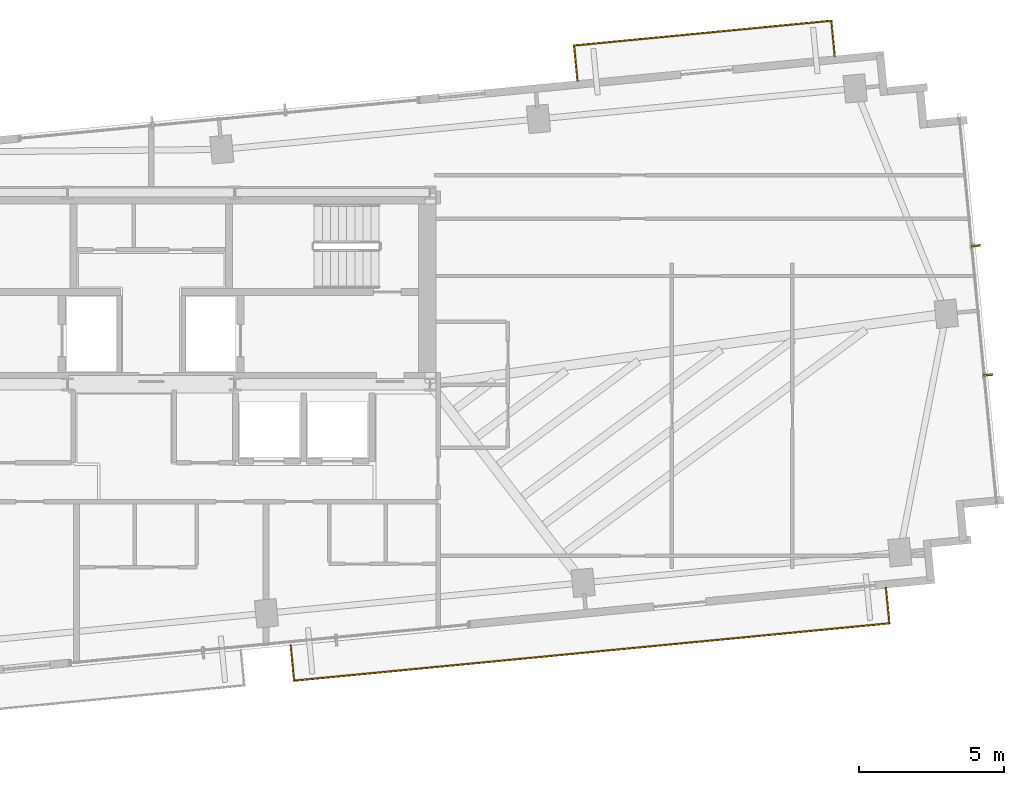
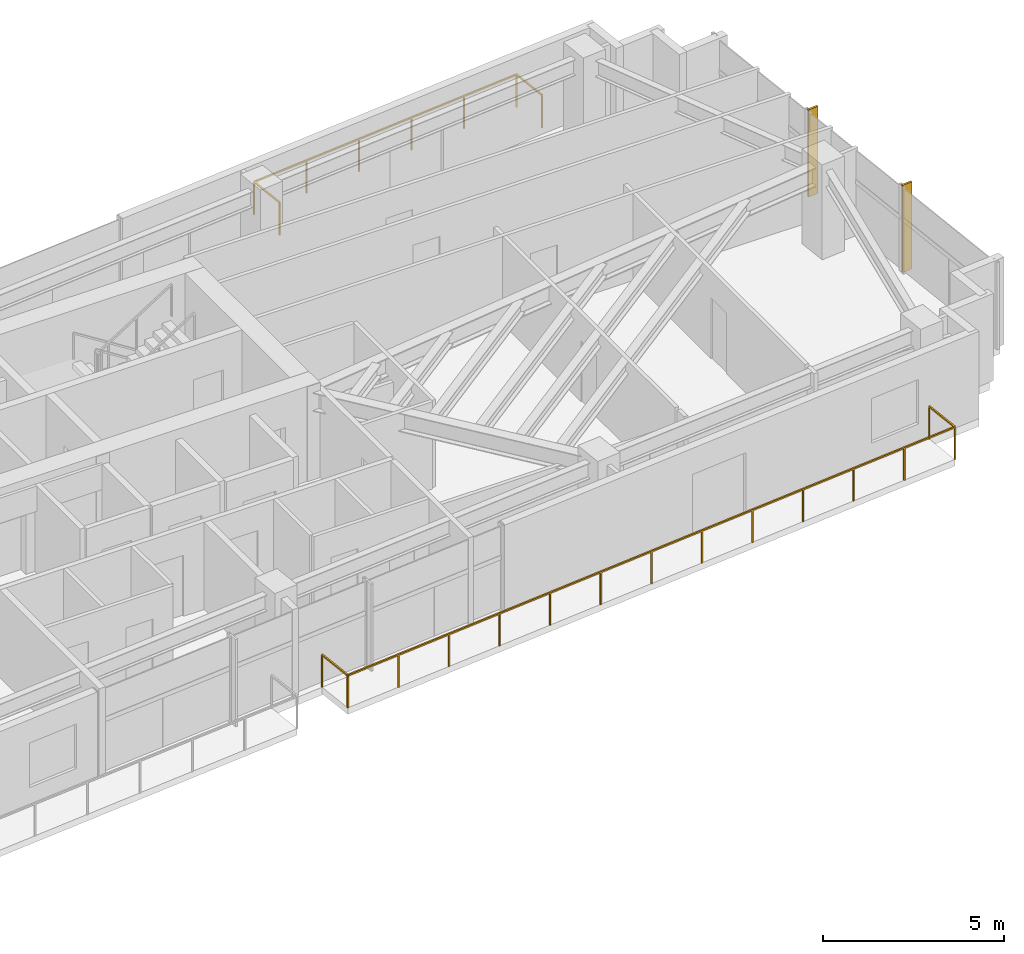
# One storey, part 18 of 18: 2 railings, 2 shading devices.
"""IFC4 building model written with IfcOpenShell, lengths in metres."""

from ifc_helpers import new_model, si_unit, direction, frame, origin, origin_2d, place, context, subcontext, project, spatial, rectangle, extrude, source, transform, mapped, material, type_object, type_shapes, element, save


model = new_model("IFC4")

# Units and contexts
model_context = context("Model", 3, precision=1e-05, world=origin(), true_north=direction((0.0, 1.0)))
body_context = subcontext(model_context, "Body", "Model", "MODEL_VIEW")
ifc_project = project(units=[si_unit("LENGTHUNIT", "METRE"), si_unit("AREAUNIT", "SQUARE_METRE"), si_unit("VOLUMEUNIT", "CUBIC_METRE"), si_unit("PLANEANGLEUNIT", "RADIAN"), si_unit("MASSUNIT", "GRAM", prefix="KILO")], contexts=[model_context])

# Site, building, storey
site_placement = place(None, origin())
site = spatial("IfcSite", under=ifc_project, at=site_placement, CompositionType="ELEMENT")
building_placement = place(site_placement, origin())
building = spatial("IfcBuilding", under=site, at=building_placement, Name="Astriad Promenade Condominiums", CompositionType="ELEMENT")
storey_placement = place(building_placement, frame((0.0, 0.0, 195.39990234375)))
storey = spatial("IfcBuildingStorey", under=building, at=storey_placement, Name="L56", CompositionType="ELEMENT", Elevation=195.39990234375)

# Shading devices
ifc_material_1 = material(Name="Anodised aluminium 6063-T6 Black Fin", Category="aluminium")
shading_device_type = type_object("IfcShadingDeviceType", Name="FIN-BLACK-260", PredefinedType="USERDEFINED", material=ifc_material_1)
shared_shape_1 = source(origin(), body_context, "Body", "SweptSolid", [
    extrude(rectangle(XDim=0.06494140625, YDim=0.320068359375, at=origin_2d()), origin(), (0.0, 0.0, 1.0), 2.93994140625),
])
type_shapes(shading_device_type, [shared_shape_1])
for number, where, z_axis, x_axis, name in (
    (1, (64.37841796875, 22.16796875, 0.000244140625), (0.0, 0.0, 1.0), (0.09584575252, -0.995396198367, 0.0), "CW-L56-E-FIN-01"),
    (2, (64.806640625, 17.721923828125, 0.000244140625), (0.0, 0.0, 1.0), (0.09584575252, -0.995396198367, 0.0), "CW-L56-E-FIN-02"),
):
    element("IfcShadingDevice", number, at=place(storey_placement, frame(where, z_axis=z_axis, x_axis=x_axis)), inside=storey, type_object=shading_device_type, Name=name, ObjectType="FIN", PredefinedType="USERDEFINED", context=body_context, shape_type="MappedRepresentation", body=[
        mapped(shared_shape_1, transform((0.0, 0.0, 0.0), scale=1.0)),
    ])

# Railings
ifc_material_2 = material(Name="Laminated Glass and Stainless Steel Balustrade", Category="steel")
railing_type = type_object("IfcRailingType", Name="GRD-BALC-1120", PredefinedType="BALUSTRADE", material=ifc_material_2)
shared_shape_2 = source(origin(), body_context, "Body", "SweptSolid", [
    extrude(rectangle(XDim=0.048095703125, YDim=0.048095703125, at=origin_2d()), frame((0.0, 0.0, 1.09619140625), z_axis=(0.095857307208, -0.99539508571, 0.0), x_axis=(0.99539508571, 0.095857307208, 0.0)), (0.0, 0.0, 1.0), 1.219970703125),
    extrude(rectangle(XDim=0.048095703125, YDim=0.048095703125, at=origin_2d()), frame((0.116943359375, -1.21435546875, 1.09619140625), z_axis=(0.995396767085, 0.09583984598, 0.0), x_axis=(-0.09583984598, 0.995396767085, 0.0)), (0.0, 0.0, 1.0), 20.587890625),
    extrude(rectangle(XDim=0.048095703125, YDim=0.048095703125, at=origin_2d()), frame((20.610107421875, 0.7587890625, 1.09619140625), z_axis=(-0.095857307208, 0.99539508571, 0.0), x_axis=(-0.99539508571, -0.095857307208, 0.0)), (0.0, 0.0, 1.0), 1.219970703125),
    extrude(rectangle(XDim=0.0419921875, YDim=0.0419921875, at=origin_2d()), origin(), (0.0, 0.0, 1.0), 1.072021484375),
    extrude(rectangle(XDim=0.0419921875, YDim=0.0419921875, at=origin_2d()), frame((0.116943359375, -1.21435546875, 0.0)), (0.0, 0.0, 1.0), 1.072021484375),
    extrude(rectangle(XDim=0.0419921875, YDim=0.0419921875, at=origin_2d()), frame((1.82470703125, -1.0498046875, 0.0)), (0.0, 0.0, 1.0), 1.072021484375),
    extrude(rectangle(XDim=0.0419921875, YDim=0.0419921875, at=origin_2d()), frame((3.532470703125, -0.885498046875, 0.0)), (0.0, 0.0, 1.0), 1.072021484375),
    extrude(rectangle(XDim=0.0419921875, YDim=0.0419921875, at=origin_2d()), frame((5.240234375, -0.72119140625, 0.0)), (0.0, 0.0, 1.0), 1.072021484375),
    extrude(rectangle(XDim=0.0419921875, YDim=0.0419921875, at=origin_2d()), frame((6.947998046875, -0.556640625, 0.0)), (0.0, 0.0, 1.0), 1.072021484375),
    extrude(rectangle(XDim=0.0419921875, YDim=0.0419921875, at=origin_2d()), frame((8.65576171875, -0.39208984375, 0.0)), (0.0, 0.0, 1.0), 1.072021484375),
    extrude(rectangle(XDim=0.0419921875, YDim=0.0419921875, at=origin_2d()), frame((10.363525390625, -0.227783203125, 0.0)), (0.0, 0.0, 1.0), 1.072021484375),
    extrude(rectangle(XDim=0.0419921875, YDim=0.0419921875, at=origin_2d()), frame((12.0712890625, -0.0634765625, 0.0)), (0.0, 0.0, 1.0), 1.072021484375),
    extrude(rectangle(XDim=0.0419921875, YDim=0.0419921875, at=origin_2d()), frame((13.779052734375, 0.10107421875, 0.0)), (0.0, 0.0, 1.0), 1.072021484375),
    extrude(rectangle(XDim=0.0419921875, YDim=0.0419921875, at=origin_2d()), frame((15.48681640625, 0.265625, 0.0)), (0.0, 0.0, 1.0), 1.072021484375),
    extrude(rectangle(XDim=0.0419921875, YDim=0.0419921875, at=origin_2d()), frame((17.194580078125, 0.429931640625, 0.0)), (0.0, 0.0, 1.0), 1.072021484375),
    extrude(rectangle(XDim=0.0419921875, YDim=0.0419921875, at=origin_2d()), frame((18.90234375, 0.59423828125, 0.0)), (0.0, 0.0, 1.0), 1.072021484375),
    extrude(rectangle(XDim=0.0419921875, YDim=0.0419921875, at=origin_2d()), frame((20.610107421875, 0.7587890625, 0.0)), (0.0, 0.0, 1.0), 1.072021484375),
    extrude(rectangle(XDim=0.0419921875, YDim=0.0419921875, at=origin_2d()), frame((20.4931640625, 1.97314453125, 0.0)), (0.0, 0.0, 1.0), 1.072021484375),
])
railing_1_placement = place(storey_placement, frame((40.800537109375, 8.41162109375, 0.0)))
element("IfcRailing", 3, at=railing_1_placement, inside=storey, type_object=railing_type, Name="GRD-BALC-L56-SE", PredefinedType="BALUSTRADE", context=body_context, shape_type="MappedRepresentation", body=[
    mapped(shared_shape_2, transform((0.0, 0.0, 0.0), scale=1.0)),
])
shared_shape_3 = source(origin(), body_context, "Body", "SweptSolid", [
    extrude(rectangle(XDim=0.048095703125, YDim=0.048095703125, at=origin_2d()), frame((0.0, 0.0, 1.09619140625), z_axis=(-0.095857307208, 0.99539508571, 0.0), x_axis=(-0.99539508571, -0.095857307208, 0.0)), (0.0, 0.0, 1.0), 1.219970703125),
    extrude(rectangle(XDim=0.048095703125, YDim=0.048095703125, at=origin_2d()), frame((-0.116943359375, 1.21435546875, 1.09619140625), z_axis=(-0.995396052861, -0.095847263647, 0.0), x_axis=(0.095847263647, -0.995396052861, 0.0)), (0.0, 0.0, 1.0), 8.89990234375),
    extrude(rectangle(XDim=0.048095703125, YDim=0.048095703125, at=origin_2d()), frame((-8.975830078125, 0.361328125, 1.09619140625), z_axis=(0.095857307208, -0.99539508571, 0.0), x_axis=(0.99539508571, 0.095857307208, 0.0)), (0.0, 0.0, 1.0), 1.219970703125),
    extrude(rectangle(XDim=0.0419921875, YDim=0.0419921875, at=origin_2d()), origin(), (0.0, 0.0, 1.0), 1.072021484375),
    extrude(rectangle(XDim=0.0419921875, YDim=0.0419921875, at=origin_2d()), frame((-0.116943359375, 1.21435546875, 0.0)), (0.0, 0.0, 1.0), 1.072021484375),
    extrude(rectangle(XDim=0.0419921875, YDim=0.0419921875, at=origin_2d()), frame((-1.888671875, 1.043701171875, 0.0)), (0.0, 0.0, 1.0), 1.072021484375),
    extrude(rectangle(XDim=0.0419921875, YDim=0.0419921875, at=origin_2d()), frame((-3.660400390625, 0.873046875, 0.0)), (0.0, 0.0, 1.0), 1.072021484375),
    extrude(rectangle(XDim=0.0419921875, YDim=0.0419921875, at=origin_2d()), frame((-5.432373046875, 0.70263671875, 0.0)), (0.0, 0.0, 1.0), 1.072021484375),
    extrude(rectangle(XDim=0.0419921875, YDim=0.0419921875, at=origin_2d()), frame((-7.2041015625, 0.531982421875, 0.0)), (0.0, 0.0, 1.0), 1.072021484375),
    extrude(rectangle(XDim=0.0419921875, YDim=0.0419921875, at=origin_2d()), frame((-8.975830078125, 0.361328125, 0.0)), (0.0, 0.0, 1.0), 1.072021484375),
    extrude(rectangle(XDim=0.0419921875, YDim=0.0419921875, at=origin_2d()), frame((-8.85888671875, -0.85302734375, 0.0)), (0.0, 0.0, 1.0), 1.072021484375),
])
type_shapes(railing_type, [shared_shape_2, shared_shape_3])
railing_2_placement = place(storey_placement, frame((59.530029296875, 28.7001953125, 0.0)))
element("IfcRailing", 4, at=railing_2_placement, inside=storey, type_object=railing_type, Name="GRD-BALC-L56-NE", PredefinedType="BALUSTRADE", context=body_context, shape_type="MappedRepresentation", body=[
    mapped(shared_shape_3, transform((0.0, 0.0, 0.0), scale=1.0)),
])

save(model, "model.ifc")
